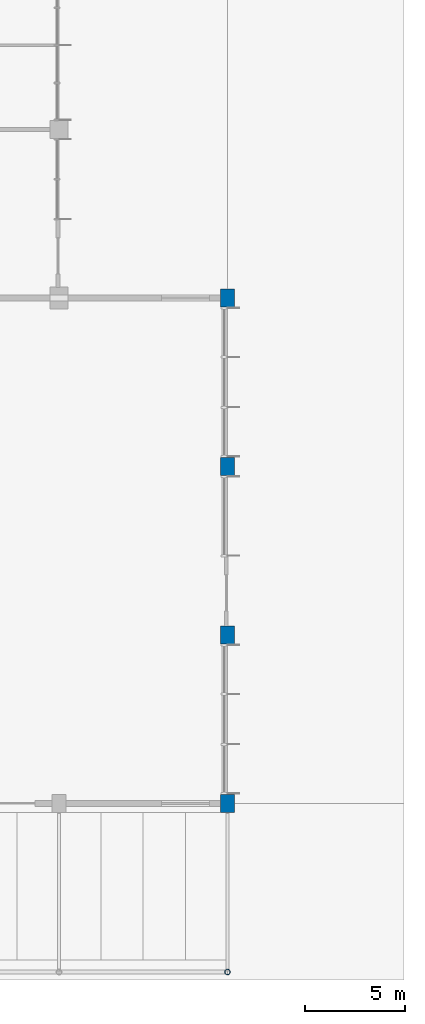
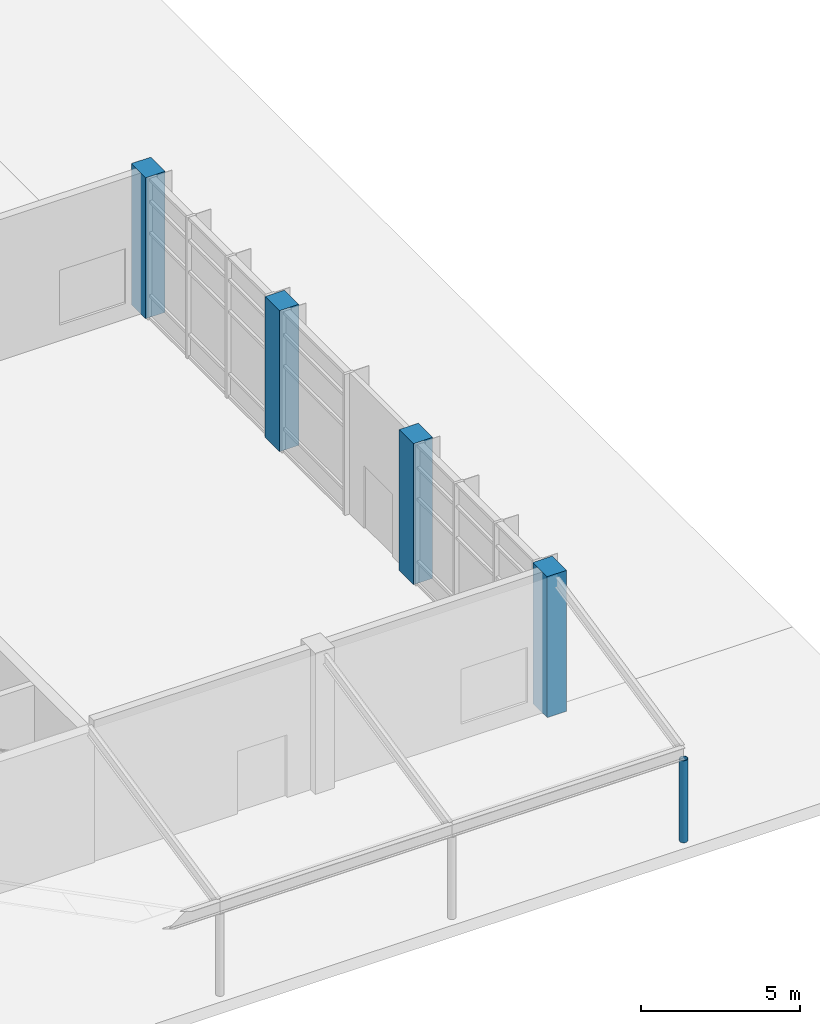
# One storey, part 13 of 76: 5 columns.
"""IFC4 building model written with IfcOpenShell, lengths in metres."""

from ifc_helpers import new_model, si_unit, direction, frame, origin, origin_2d, place, context, subcontext, project, spatial, rectangle, hollow_circle, extrude, material, material_profile, profile_set, type_object, element, save


model = new_model("IFC4")

# Units and contexts
model_context = context("Model", 3, precision=1e-05, world=origin(), true_north=direction((0.0, 1.0)))
body_context = subcontext(model_context, "Body", "Model", "MODEL_VIEW")
ifc_project = project(units=[si_unit("LENGTHUNIT", "METRE"), si_unit("AREAUNIT", "SQUARE_METRE"), si_unit("VOLUMEUNIT", "CUBIC_METRE"), si_unit("PLANEANGLEUNIT", "RADIAN"), si_unit("MASSUNIT", "GRAM", prefix="KILO")], contexts=[model_context])

# Site, building, storey
site_placement = place(None, origin())
site = spatial("IfcSite", under=ifc_project, at=site_placement, CompositionType="ELEMENT")
building_placement = place(site_placement, origin())
building = spatial("IfcBuilding", under=site, at=building_placement, Name="Hlaing Beacon Police Headquarters", CompositionType="ELEMENT")
storey_placement = place(building_placement, origin())
storey = spatial("IfcBuildingStorey", under=building, at=storey_placement, Name="L00", CompositionType="ELEMENT", Elevation=0.0)

# Columns
ifc_material_1 = material(Name="Concrete C50/60", Category="concrete")
ifc_material_profile_1 = material_profile(ifc_material_1, rectangle(XDim=0.699951171875, YDim=0.89990234375, at=origin_2d()), Name="700x900")
ifc_profile_set_1 = profile_set([ifc_material_profile_1], Name="Concrete C50/60")
column_type_1 = type_object("IfcColumnType", Name="RC column 700x900 C50/60", PredefinedType="COLUMN", material=ifc_profile_set_1)
for number, where, z_axis, x_axis, name in (
    (1, (134.39990234375, 8.39990234375, 0.0), (0.0, 0.0, 1.0), (1.0, 0.0, 0.0), "STR-COL-L00-S2"),
    (2, (134.39990234375, 16.800048828125, 0.0), (0.0, 0.0, 1.0), (1.0, 0.0, 0.0), "STR-COL-L00-S3"),
    (3, (134.39990234375, 25.199951171875, 0.0), (0.0, 0.0, 1.0), (1.0, 0.0, 0.0), "STR-COL-L00-S4"),
    (4, (134.39990234375, 33.60009765625, 0.0), (0.0, 0.0, 1.0), (1.0, 0.0, 0.0), "STR-COL-L00-S5"),
):
    element("IfcColumn", number, at=place(storey_placement, frame(where, z_axis=z_axis, x_axis=x_axis)), inside=storey, type_object=column_type_1, Name=name, PredefinedType="COLUMN", context=body_context, shape_type="SweptSolid", body=[
        extrude(rectangle(XDim=0.699951171875, YDim=0.89990234375, at=origin_2d()), origin(), (0.0, 0.0, 1.0), 5.39990234375),
    ])
ifc_material_2 = material(Name="Steel ASTM A500 Grade C", Category="steel")
ifc_material_profile_2 = material_profile(ifc_material_2, hollow_circle(Radius=0.136474609375, WallThickness=0.0126953125, at=origin_2d()), Name="HSS10.750x0.500")
ifc_profile_set_2 = profile_set([ifc_material_profile_2], Name="Steel ASTM A500 Grade C")
column_type_2 = type_object("IfcColumnType", Name="Steel column HSS10.750x0.500", PredefinedType="COLUMN", material=ifc_profile_set_2)
column_placement = place(storey_placement, frame((134.39990234375, 0.0, 0.0), z_axis=(0.0, 0.0, 1.0), x_axis=(1.0, 0.0, 0.0)))
element("IfcColumn", 5, at=column_placement, inside=storey, type_object=column_type_2, Name="STR-CL-CL2-COL06", PredefinedType="COLUMN", context=body_context, shape_type="SweptSolid", body=[
    extrude(hollow_circle(Radius=0.136474609375, WallThickness=0.0126953125, at=origin_2d()), origin(), (0.0, 0.0, 1.0), 3.142822265625),
])

save(model, "model.ifc")
